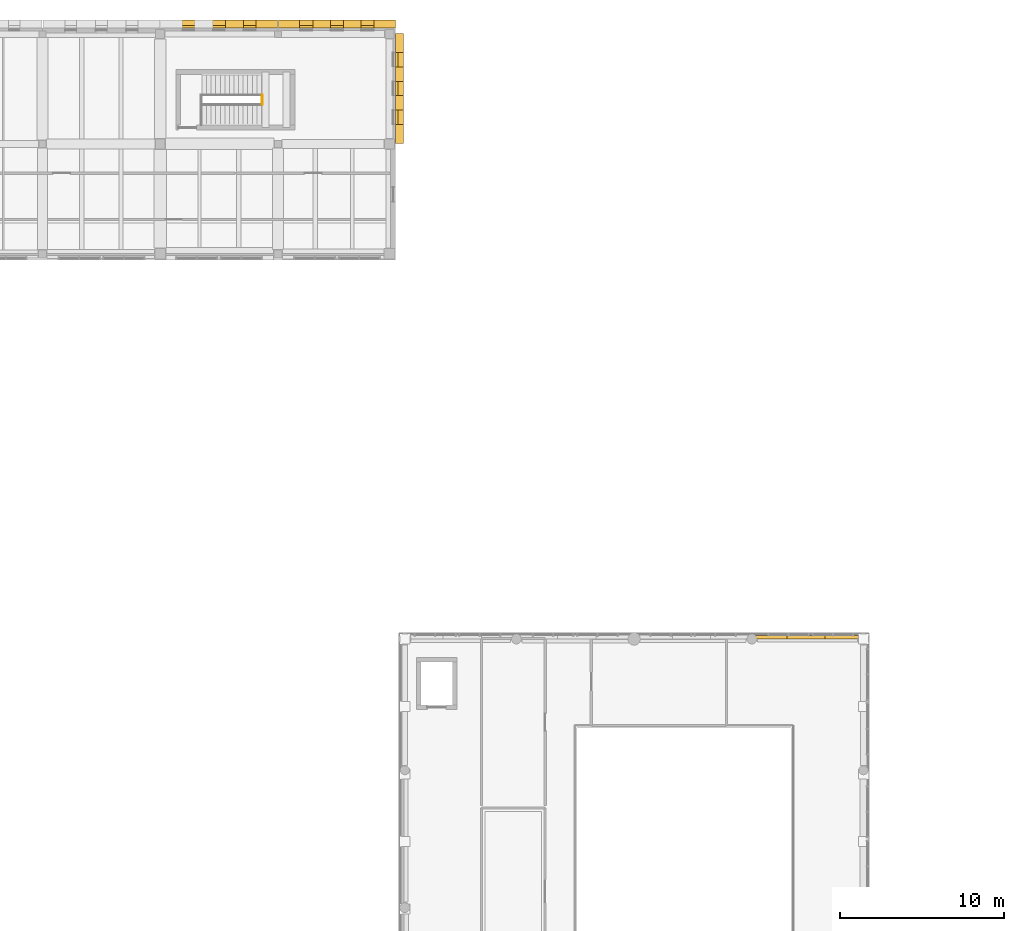
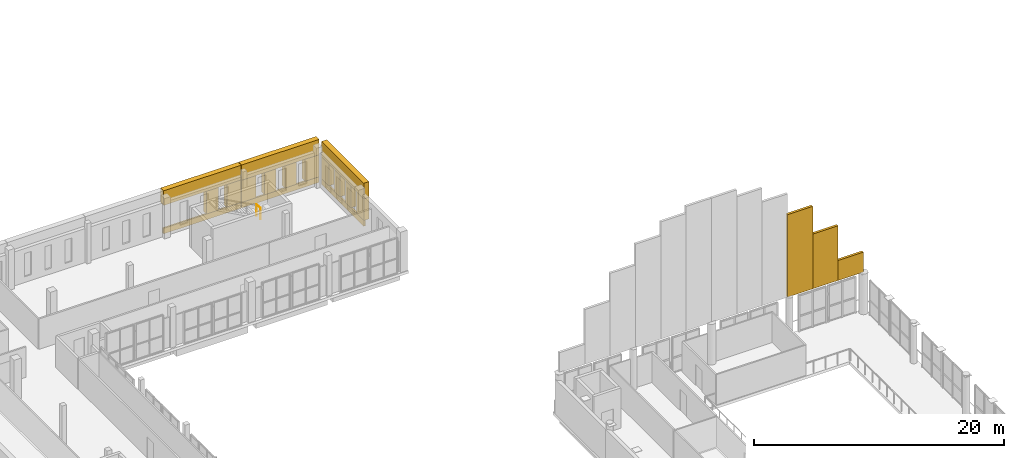
# One storey, part 73 of 76: 19 coverings, 1 railing.
"""IFC4 building model written with IfcOpenShell, lengths in metres."""

from ifc_helpers import new_model, si_unit, direction, frame, origin, origin_2d, place, context, subcontext, project, spatial, polyline, circle, outline, extrude, material, layer, layer_set, type_object, element, save


model = new_model("IFC4")

# Units and contexts
model_context = context("Model", 3, precision=1e-05, world=origin(), true_north=direction((0.0, 1.0)))
body_context = subcontext(model_context, "Body", "Model", "MODEL_VIEW")
ifc_project = project(units=[si_unit("LENGTHUNIT", "METRE"), si_unit("AREAUNIT", "SQUARE_METRE"), si_unit("VOLUMEUNIT", "CUBIC_METRE"), si_unit("PLANEANGLEUNIT", "RADIAN"), si_unit("MASSUNIT", "GRAM", prefix="KILO")], contexts=[model_context])

# Site, building, storey
site_placement = place(None, origin())
site = spatial("IfcSite", under=ifc_project, at=site_placement, CompositionType="ELEMENT")
building_placement = place(site_placement, origin())
building = spatial("IfcBuilding", under=site, at=building_placement, Name="Vardoun Plaza Health Centre", CompositionType="ELEMENT")
storey_placement = place(building_placement, frame((0.0, 0.0, 4.5)))
storey = spatial("IfcBuildingStorey", under=building, at=storey_placement, Name="L01", CompositionType="ELEMENT", Elevation=4.5)

# Coverings
ifc_material_1 = material(Name="Pale Limestone Concrete C35/45", Category="masonry")
ifc_layer = layer(ifc_material_1, 0.080078125)
ifc_layer_set = layer_set([ifc_layer], Name="Pale Limestone Concrete C35/45")
covering_type = type_object("IfcCoveringType", Name="CL-EXT1", PredefinedType="CLADDING", material=ifc_layer_set)
covering_1_placement = place(storey_placement, origin())
element("IfcCovering", 1, at=covering_1_placement, inside=storey, type_object=covering_type, Name="V3 L01 Pale Concrete Sill Band 790", PredefinedType="CLADDING", context=body_context, shape_type="SweptSolid", body=[
    extrude(outline(polyline([(33.320068359375, 115.300048828125), (40.47998046875, 115.300048828125), (40.47998046875, 115.43994140625), (33.320068359375, 115.43994140625), (33.320068359375, 115.300048828125)])), origin(), (0.0, 0.0, 1.0), 0.550048828125),
])
covering_2_placement = place(storey_placement, frame((0.0, 0.0, 2.77001953125)))
element("IfcCovering", 2, at=covering_2_placement, inside=storey, type_object=covering_type, Name="V3 L01 Sculpted Concrete Eyebrow Hood 791", PredefinedType="CLADDING", context=body_context, shape_type="SweptSolid", body=[
    extrude(outline(polyline([(33.320068359375, 115.300048828125), (40.47998046875, 115.300048828125), (40.47998046875, 115.780029296875), (33.320068359375, 115.780029296875), (33.320068359375, 115.300048828125)])), origin(), (0.0, 0.0, 1.0), 1.429931640625),
])
covering_3_placement = place(storey_placement, frame((0.0, 0.0, 0.550048828125)))
element("IfcCovering", 3, at=covering_3_placement, inside=storey, type_object=covering_type, Name="V3 L01 Deep-Punched Slot Concrete Reveal Pier 794", PredefinedType="CLADDING", context=body_context, shape_type="SweptSolid", body=[
    extrude(outline(polyline([(37.280029296875, 115.300048828125), (38.39208984375, 115.300048828125), (38.39208984375, 115.780029296875), (37.280029296875, 115.780029296875), (37.280029296875, 115.300048828125)])), origin(), (0.0, 0.0, 1.0), 2.219970703125),
])
covering_4_placement = place(storey_placement, frame((0.0, 0.0, 0.550048828125)))
element("IfcCovering", 4, at=covering_4_placement, inside=storey, type_object=covering_type, Name="V3 L01 Deep-Punched Slot Concrete Reveal Pier 795", PredefinedType="CLADDING", context=body_context, shape_type="SweptSolid", body=[
    extrude(outline(polyline([(39.152099609375, 115.300048828125), (40.47998046875, 115.300048828125), (40.47998046875, 115.780029296875), (39.152099609375, 115.780029296875), (39.152099609375, 115.300048828125)])), origin(), (0.0, 0.0, 1.0), 2.219970703125),
])
covering_5_placement = place(storey_placement, origin())
element("IfcCovering", 5, at=covering_5_placement, inside=storey, type_object=covering_type, Name="V3 L01 Pale Concrete Sill Band 796", PredefinedType="CLADDING", context=body_context, shape_type="SweptSolid", body=[
    extrude(outline(polyline([(40.52001953125, 115.300048828125), (47.679931640625, 115.300048828125), (47.679931640625, 115.43994140625), (40.52001953125, 115.43994140625), (40.52001953125, 115.300048828125)])), origin(), (0.0, 0.0, 1.0), 0.550048828125),
])
covering_6_placement = place(storey_placement, frame((0.0, 0.0, 2.7099609375)))
element("IfcCovering", 6, at=covering_6_placement, inside=storey, type_object=covering_type, Name="V3 L01 Sculpted Concrete Eyebrow Hood 797", PredefinedType="CLADDING", context=body_context, shape_type="SweptSolid", body=[
    extrude(outline(polyline([(40.52001953125, 115.300048828125), (47.679931640625, 115.300048828125), (47.679931640625, 115.780029296875), (40.52001953125, 115.780029296875), (40.52001953125, 115.300048828125)])), origin(), (0.0, 0.0, 1.0), 1.489990234375),
])
covering_7_placement = place(storey_placement, frame((0.0, 0.0, 0.550048828125)))
element("IfcCovering", 7, at=covering_7_placement, inside=storey, type_object=covering_type, Name="V3 L01 Deep-Punched Slot Concrete Reveal Pier 798", PredefinedType="CLADDING", context=body_context, shape_type="SweptSolid", body=[
    extrude(outline(polyline([(40.52001953125, 115.300048828125), (41.827880859375, 115.300048828125), (41.827880859375, 115.780029296875), (40.52001953125, 115.780029296875), (40.52001953125, 115.300048828125)])), origin(), (0.0, 0.0, 1.0), 2.159912109375),
])
covering_8_placement = place(storey_placement, frame((0.0, 0.0, 0.550048828125)))
element("IfcCovering", 8, at=covering_8_placement, inside=storey, type_object=covering_type, Name="V3 L01 Deep-Punched Slot Concrete Reveal Pier 799", PredefinedType="CLADDING", context=body_context, shape_type="SweptSolid", body=[
    extrude(outline(polyline([(42.6279296875, 115.300048828125), (43.699951171875, 115.300048828125), (43.699951171875, 115.780029296875), (42.6279296875, 115.780029296875), (42.6279296875, 115.300048828125)])), origin(), (0.0, 0.0, 1.0), 2.159912109375),
])
covering_9_placement = place(storey_placement, frame((0.0, 0.0, 0.550048828125)))
element("IfcCovering", 9, at=covering_9_placement, inside=storey, type_object=covering_type, Name="V3 L01 Deep-Punched Slot Concrete Reveal Pier 800", PredefinedType="CLADDING", context=body_context, shape_type="SweptSolid", body=[
    extrude(outline(polyline([(44.5, 115.300048828125), (45.572021484375, 115.300048828125), (45.572021484375, 115.780029296875), (44.5, 115.780029296875), (44.5, 115.300048828125)])), origin(), (0.0, 0.0, 1.0), 2.159912109375),
])
covering_10_placement = place(storey_placement, frame((0.0, 0.0, 0.550048828125)))
element("IfcCovering", 10, at=covering_10_placement, inside=storey, type_object=covering_type, Name="V3 L01 Deep-Punched Slot Concrete Reveal Pier 801", PredefinedType="CLADDING", context=body_context, shape_type="SweptSolid", body=[
    extrude(outline(polyline([(46.3720703125, 115.300048828125), (47.679931640625, 115.300048828125), (47.679931640625, 115.780029296875), (46.3720703125, 115.780029296875), (46.3720703125, 115.300048828125)])), origin(), (0.0, 0.0, 1.0), 2.159912109375),
])
covering_11_placement = place(storey_placement, origin())
element("IfcCovering", 11, at=covering_11_placement, inside=storey, type_object=covering_type, Name="V3 L01 Pale Concrete Sill Band 802", PredefinedType="CLADDING", context=body_context, shape_type="SweptSolid", body=[
    extrude(outline(polyline([(47.699951171875, 114.965087890625), (47.699951171875, 108.219970703125), (47.840087890625, 108.219970703125), (47.840087890625, 114.965087890625), (47.699951171875, 114.965087890625)])), origin(), (0.0, 0.0, 1.0), 0.550048828125),
])
covering_12_placement = place(storey_placement, frame((0.0, 0.0, 2.669921875)))
element("IfcCovering", 12, at=covering_12_placement, inside=storey, type_object=covering_type, Name="V3 L01 Sculpted Concrete Eyebrow Hood 803", PredefinedType="CLADDING", context=body_context, shape_type="SweptSolid", body=[
    extrude(outline(polyline([(47.699951171875, 114.965087890625), (47.699951171875, 108.219970703125), (48.179931640625, 108.219970703125), (48.179931640625, 114.965087890625), (47.699951171875, 114.965087890625)])), origin(), (0.0, 0.0, 1.0), 1.530029296875),
])
covering_13_placement = place(storey_placement, frame((0.0, 0.0, 0.550048828125)))
element("IfcCovering", 13, at=covering_13_placement, inside=storey, type_object=covering_type, Name="V3 L01 Deep-Punched Slot Concrete Reveal Pier 804", PredefinedType="CLADDING", context=body_context, shape_type="SweptSolid", body=[
    extrude(outline(polyline([(47.699951171875, 114.965087890625), (47.699951171875, 113.796630859375), (48.179931640625, 113.796630859375), (48.179931640625, 114.965087890625), (47.699951171875, 114.965087890625)])), origin(), (0.0, 0.0, 1.0), 2.119873046875),
])
covering_14_placement = place(storey_placement, frame((0.0, 0.0, 0.550048828125)))
element("IfcCovering", 14, at=covering_14_placement, inside=storey, type_object=covering_type, Name="V3 L01 Deep-Punched Slot Concrete Reveal Pier 805", PredefinedType="CLADDING", context=body_context, shape_type="SweptSolid", body=[
    extrude(outline(polyline([(47.699951171875, 112.91650390625), (47.699951171875, 112.032470703125), (48.179931640625, 112.032470703125), (48.179931640625, 112.91650390625), (47.699951171875, 112.91650390625)])), origin(), (0.0, 0.0, 1.0), 2.119873046875),
])
covering_15_placement = place(storey_placement, frame((0.0, 0.0, 0.550048828125)))
element("IfcCovering", 15, at=covering_15_placement, inside=storey, type_object=covering_type, Name="V3 L01 Deep-Punched Slot Concrete Reveal Pier 806", PredefinedType="CLADDING", context=body_context, shape_type="SweptSolid", body=[
    extrude(outline(polyline([(47.699951171875, 111.152587890625), (47.699951171875, 110.268310546875), (48.179931640625, 110.268310546875), (48.179931640625, 111.152587890625), (47.699951171875, 111.152587890625)])), origin(), (0.0, 0.0, 1.0), 2.119873046875),
])
covering_16_placement = place(storey_placement, frame((0.0, 0.0, 0.550048828125)))
element("IfcCovering", 16, at=covering_16_placement, inside=storey, type_object=covering_type, Name="V3 L01 Deep-Punched Slot Concrete Reveal Pier 807", PredefinedType="CLADDING", context=body_context, shape_type="SweptSolid", body=[
    extrude(outline(polyline([(47.699951171875, 109.388427734375), (47.699951171875, 108.219970703125), (48.179931640625, 108.219970703125), (48.179931640625, 109.388427734375), (47.699951171875, 109.388427734375)])), origin(), (0.0, 0.0, 1.0), 2.119873046875),
])
covering_17_placement = place(storey_placement, frame((0.0, 0.0, 3.89990234375)))
element("IfcCovering", 17, at=covering_17_placement, inside=storey, type_object=covering_type, Name="Sculpted Concrete Roof Gable Cladding V1-N.10", PredefinedType="CLADDING", context=body_context, shape_type="SweptSolid", body=[
    extrude(outline(polyline([(69.2900390625, 77.919921875), (71.626708984375, 77.919921875), (71.626708984375, 78.139892578125), (69.2900390625, 78.139892578125), (69.2900390625, 77.919921875)])), origin(), (0.0, 0.0, 1.0), 8.048583984375),
])
covering_18_placement = place(storey_placement, frame((0.0, 0.0, 3.89990234375)))
element("IfcCovering", 18, at=covering_18_placement, inside=storey, type_object=covering_type, Name="Sculpted Concrete Roof Gable Cladding V1-N.11", PredefinedType="CLADDING", context=body_context, shape_type="SweptSolid", body=[
    extrude(outline(polyline([(71.626708984375, 77.919921875), (73.96337890625, 77.919921875), (73.96337890625, 78.139892578125), (71.626708984375, 78.139892578125), (71.626708984375, 77.919921875)])), origin(), (0.0, 0.0, 1.0), 5.337646484375),
])
covering_19_placement = place(storey_placement, frame((0.0, 0.0, 3.89990234375)))
element("IfcCovering", 19, at=covering_19_placement, inside=storey, type_object=covering_type, Name="Sculpted Concrete Roof Gable Cladding V1-N.12", PredefinedType="CLADDING", context=body_context, shape_type="SweptSolid", body=[
    extrude(outline(polyline([(73.96337890625, 77.919921875), (76.300048828125, 77.919921875), (76.300048828125, 78.139892578125), (73.96337890625, 78.139892578125), (73.96337890625, 77.919921875)])), origin(), (0.0, 0.0, 1.0), 1.94873046875),
])

# Railing
ifc_material_2 = material(Name="Painted Steel S275JR Stair-Well Guardrail", Category="steel")
railing_type = type_object("IfcRailingType", Name="GR-04", PredefinedType="GUARDRAIL", material=ifc_material_2)
railing_placement = place(storey_placement, frame((39.530029296875, 110.60498046875, 2.10009765625)))
element("IfcRailing", 20, at=railing_placement, inside=storey, type_object=railing_type, Name="Stair ST-C4-L01 Mid-Landing Well Guard", PredefinedType="GUARDRAIL", context=body_context, shape_type="SweptSolid", body=[
    extrude(circle(Radius=0.02392578125, at=origin_2d()), frame((0.0, 0.0, 1.09619140625), z_axis=(0.0, 1.0, 0.0), x_axis=(-1.0, 0.0, 0.0)), (0.0, 0.0, 1.0), 0.590087890625),
    extrude(circle(Radius=0.02099609375, at=origin_2d()), origin(), (0.0, 0.0, 1.0), 1.072021484375),
    extrude(circle(Radius=0.02099609375, at=origin_2d()), frame((0.0, 0.590087890625, 0.0)), (0.0, 0.0, 1.0), 1.072021484375),
])

save(model, "model.ifc")
